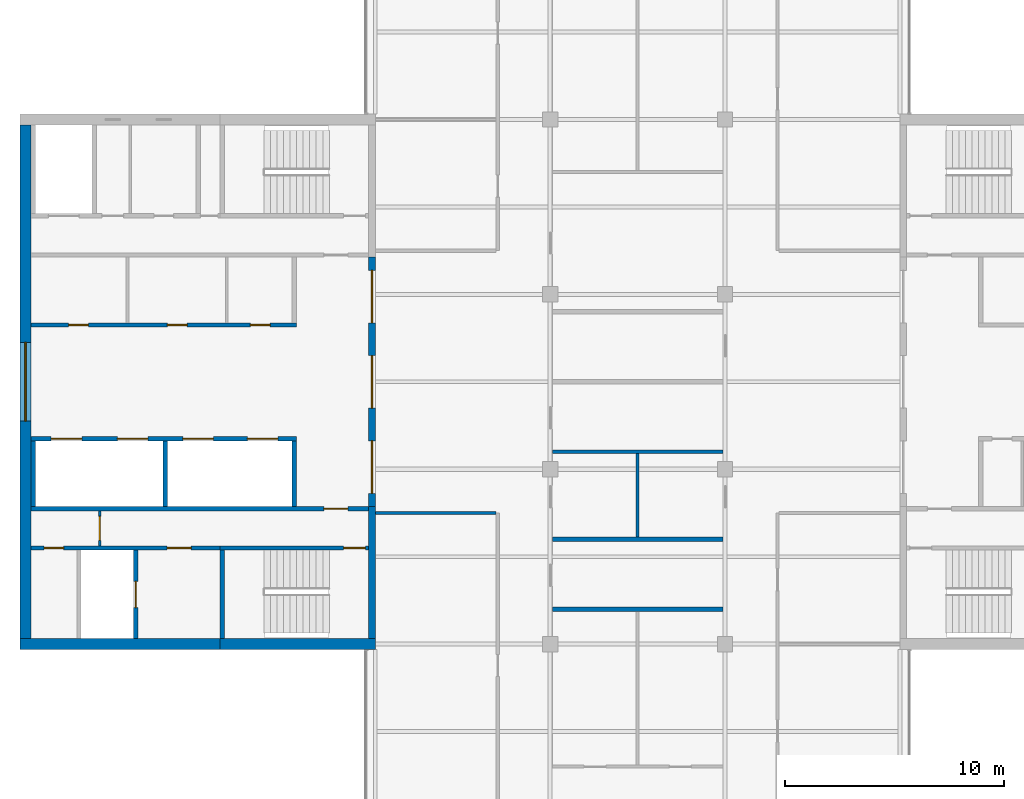
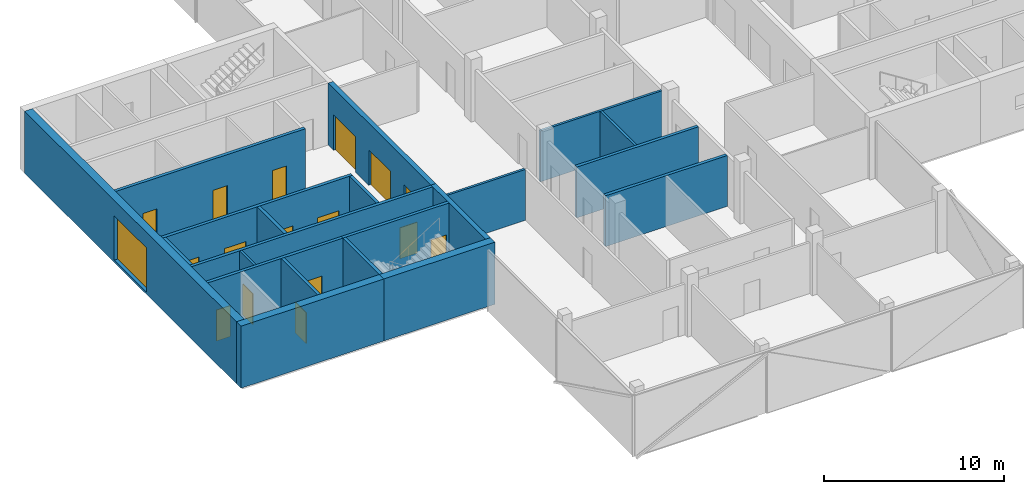
# One storey, part 9 of 16: 21 walls, 16 doors, 1 window, 17 openings.
"""IFC4 building model written with IfcOpenShell, lengths in metres."""

from ifc_helpers import new_model, si_unit, direction, frame, frame_2d, origin, place, context, subcontext, project, spatial, rectangle, extrude, material, layer, layer_set, constituent, constituent_set, type_object, element, fill, save


model = new_model("IFC4")

# Units and contexts
model_context = context("Model", 3, precision=1e-05, world=origin(), true_north=direction((0.0, 1.0)))
body_context = subcontext(model_context, "Body", "Model", "MODEL_VIEW")
ifc_project = project(units=[si_unit("LENGTHUNIT", "METRE"), si_unit("AREAUNIT", "SQUARE_METRE"), si_unit("VOLUMEUNIT", "CUBIC_METRE"), si_unit("PLANEANGLEUNIT", "RADIAN"), si_unit("MASSUNIT", "GRAM", prefix="KILO")], contexts=[model_context])

# Site, building, storey
site_placement = place(None, origin())
site = spatial("IfcSite", under=ifc_project, at=site_placement, CompositionType="ELEMENT")
building_placement = place(site_placement, origin())
building = spatial("IfcBuilding", under=site, at=building_placement, Name="Crosswind Convention Tower", CompositionType="ELEMENT")
storey_placement = place(building_placement, frame((0.0, 0.0, 253.5)))
storey = spatial("IfcBuildingStorey", under=building, at=storey_placement, Name="L54", CompositionType="ELEMENT", Elevation=253.5)

# Walls
ifc_material_1 = material(Name="Concrete blockwork", Category="masonry")
ifc_layer_1 = layer(ifc_material_1, 0.199951171875)
ifc_layer_set_1 = layer_set([ifc_layer_1], Name="COMPARTMENT WALL 200 BLOCKWORK")
wall_type_1 = type_object("IfcWallType", Name="COMPARTMENT WALL 200 BLOCKWORK", PredefinedType="SOLIDWALL", material=ifc_layer_set_1)
for number, where, z_axis, x_axis, name in (
    (1, (121.10009765625, 89.60009765625, 0.0), (0.0, 0.0, 1.0), (1.0, 0.0, 0.0), "Compartment wall WT42"),
    (2, (121.10009765625, 92.800048828125, 0.0), (0.0, 0.0, 1.0), (1.0, 0.0, 0.0), "Compartment wall WT42"),
):
    element("IfcWall", number, at=place(storey_placement, frame(where, z_axis=z_axis, x_axis=x_axis)), inside=storey, type_object=wall_type_1, Name=name, PredefinedType="SOLIDWALL", context=body_context, shape_type="SweptSolid", body=[
        extrude(rectangle(XDim=7.7998046875, YDim=0.199951171875, at=frame_2d((3.89990234375, 0.0))), origin(), (0.0, 0.0, 1.0), 3.44287109375),
    ])

# Wall, openings, doors
ifc_material_2 = material(Name="Concrete C50/60", Category="concrete")
ifc_layer_2 = layer(ifc_material_2, 0.300048828125)
ifc_layer_set_2 = layer_set([ifc_layer_2], Name="Concrete C50/60")
wall_type_2 = type_object("IfcWallType", Name="Concrete inner core wall 300", PredefinedType="SHEAR", material=ifc_layer_set_2)
wall_1_placement = place(storey_placement, frame((112.85009765625, 105.699951171875, 0.0), z_axis=(0.0, 0.0, 1.0), x_axis=(0.0, -1.0, 0.0)))
wall_1 = element("IfcWall", 3, at=wall_1_placement, inside=storey, type_object=wall_type_2, Name="Wall SCR W L54", PredefinedType="SHEAR", context=body_context, shape_type="SweptSolid", body=[
    extrude(rectangle(XDim=11.39990234375, YDim=0.300048828125, at=frame_2d((5.699951171875, 0.0))), origin(), (0.0, 0.0, 1.0), 4.199951171875),
])
opening_1_placement = place(wall_1_placement, frame((0.60009765625, 0.0, 0.0)))
opening_1 = element("IfcOpeningElement", 4, at=opening_1_placement, cuts=wall_1, Name="Opening D100", PredefinedType="OPENING", context=body_context, shape_type="SweptSolid", body=[
    extrude(rectangle(XDim=2.39990234375, YDim=2.39990234375, at=frame_2d((1.199951171875, 1.199951171875))), frame((0.0, 0.159912109375, 0.0), z_axis=(0.0, -1.0, 0.0), x_axis=(1.0, 0.0, 0.0)), (0.0, 0.0, 1.0), 0.320068359375),
])
opening_2_placement = place(wall_1_placement, frame((4.5, 0.0, 0.0)))
opening_2 = element("IfcOpeningElement", 5, at=opening_2_placement, cuts=wall_1, Name="Opening D100", PredefinedType="OPENING", context=body_context, shape_type="SweptSolid", body=[
    extrude(rectangle(XDim=2.39990234375, YDim=2.39990234375, at=frame_2d((1.199951171875, 1.199951171875))), frame((0.0, 0.159912109375, 0.0), z_axis=(0.0, -1.0, 0.0), x_axis=(1.0, 0.0, 0.0)), (0.0, 0.0, 1.0), 0.320068359375),
])
opening_3_placement = place(wall_1_placement, frame((8.39990234375, 0.0, 0.0)))
opening_3 = element("IfcOpeningElement", 6, at=opening_3_placement, cuts=wall_1, Name="Opening D100", PredefinedType="OPENING", context=body_context, shape_type="SweptSolid", body=[
    extrude(rectangle(XDim=2.39990234375, YDim=2.39990234375, at=frame_2d((1.199951171875, 1.199951171875))), frame((0.0, 0.159912109375, 0.0), z_axis=(0.0, -1.0, 0.0), x_axis=(1.0, 0.0, 0.0)), (0.0, 0.0, 1.0), 0.320068359375),
])
ifc_material_3 = material(Name="Steel fire door with glazed vision panels", Category="steel")
door_type_1 = type_object("IfcDoorType", Name="Fire-rated double door 2400x2400", OperationType="DOUBLE_DOOR_SINGLE_SWING", PredefinedType="DOOR", material=ifc_material_3)
door_1_placement = place(opening_1_placement, origin())
door_1 = element("IfcDoor", 7, at=door_1_placement, inside=storey, type_object=door_type_1, Name="Lobby door 1 L54", ObjectType="D100", OperationType="DOUBLE_DOOR_SINGLE_SWING", OverallHeight=2.39990234375, OverallWidth=2.39990234375, PredefinedType="DOOR", context=body_context, shape_type="SweptSolid", body=[
    extrude(rectangle(XDim=2.39990234375, YDim=2.39990234375, at=frame_2d((1.199951171875, 1.199951171875))), frame((0.0, 0.02490234375, 0.0), z_axis=(0.0, -1.0, 0.0), x_axis=(1.0, 0.0, 0.0)), (0.0, 0.0, 1.0), 0.050048828125),
])
fill(opening_1, door_1)
door_2_placement = place(opening_2_placement, origin())
door_2 = element("IfcDoor", 8, at=door_2_placement, inside=storey, type_object=door_type_1, Name="Lobby door 2 L54", ObjectType="D100", OperationType="DOUBLE_DOOR_SINGLE_SWING", OverallHeight=2.39990234375, OverallWidth=2.39990234375, PredefinedType="DOOR", context=body_context, shape_type="SweptSolid", body=[
    extrude(rectangle(XDim=2.39990234375, YDim=2.39990234375, at=frame_2d((1.199951171875, 1.199951171875))), frame((0.0, 0.02490234375, 0.0), z_axis=(0.0, -1.0, 0.0), x_axis=(1.0, 0.0, 0.0)), (0.0, 0.0, 1.0), 0.050048828125),
])
fill(opening_2, door_2)
door_3_placement = place(opening_3_placement, origin())
door_3 = element("IfcDoor", 9, at=door_3_placement, inside=storey, type_object=door_type_1, Name="Lobby door 3 L54", ObjectType="D100", OperationType="DOUBLE_DOOR_SINGLE_SWING", OverallHeight=2.39990234375, OverallWidth=2.39990234375, PredefinedType="DOOR", context=body_context, shape_type="SweptSolid", body=[
    extrude(rectangle(XDim=2.39990234375, YDim=2.39990234375, at=frame_2d((1.199951171875, 1.199951171875))), frame((0.0, 0.02490234375, 0.0), z_axis=(0.0, -1.0, 0.0), x_axis=(1.0, 0.0, 0.0)), (0.0, 0.0, 1.0), 0.050048828125),
])
fill(opening_3, door_3)

# Walls
wall_2_placement = place(storey_placement, frame((112.85009765625, 94.300048828125, 0.0), z_axis=(0.0, 0.0, 1.0), x_axis=(0.0, -1.0, 0.0)))
element("IfcWall", 10, at=wall_2_placement, inside=storey, type_object=wall_type_2, Name="Wall EP W L54", PredefinedType="SHEAR", context=body_context, shape_type="SweptSolid", body=[
    extrude(rectangle(XDim=6.050048828125, YDim=0.300048828125, at=frame_2d((3.02490234375, 0.0))), origin(), (0.0, 0.0, 1.0), 4.199951171875),
])
ifc_layer_3 = layer(ifc_material_2, 0.199951171875)
ifc_layer_set_3 = layer_set([ifc_layer_3], Name="Concrete C50/60")
wall_type_3 = type_object("IfcWallType", Name="Concrete shaft and stair wall 200", PredefinedType="SHEAR", material=ifc_layer_set_3)
for number, where, z_axis, x_axis, name in (
    (11, (109.300048828125, 97.300048828125, 0.0), (0.0, 0.0, 1.0), (0.0, -1.0, 0.0), "Wall RPEND W L54"),
    (12, (103.39990234375, 97.300048828125, 0.0), (0.0, 0.0, 1.0), (0.0, -1.0, 0.0), "Wall RPSEP W L54"),
    (13, (97.35009765625, 97.300048828125, 0.0), (0.0, 0.0, 1.0), (0.0, -1.0, 0.0), "Wall RPEAST W L54"),
):
    element("IfcWall", number, at=place(storey_placement, frame(where, z_axis=z_axis, x_axis=x_axis)), inside=storey, type_object=wall_type_3, Name=name, PredefinedType="SHEAR", context=body_context, shape_type="SweptSolid", body=[
        extrude(rectangle(XDim=3.0, YDim=0.199951171875, at=frame_2d((1.5, 0.0))), origin(), (0.0, 0.0, 1.0), 4.199951171875),
    ])

# Wall, openings, doors
wall_3_placement = place(storey_placement, frame((109.39990234375, 97.39990234375, 0.0), z_axis=(0.0, 0.0, 1.0), x_axis=(-1.0, 0.0, 0.0)))
wall_3 = element("IfcWall", 14, at=wall_3_placement, inside=storey, type_object=wall_type_3, Name="Wall RPFRONT W L54", PredefinedType="SHEAR", context=body_context, shape_type="SweptSolid", body=[
    extrude(rectangle(XDim=12.14990234375, YDim=0.199951171875, at=frame_2d((6.074951171875, 0.0))), origin(), (0.0, 0.0, 1.0), 4.199951171875),
])
opening_4_placement = place(wall_3_placement, frame((0.85009765625, 0.0, 0.0)))
opening_4 = element("IfcOpeningElement", 15, at=opening_4_placement, cuts=wall_3, Name="Opening LD2", PredefinedType="OPENING", context=body_context, shape_type="SweptSolid", body=[
    extrude(rectangle(XDim=1.39990234375, YDim=2.10009765625, at=frame_2d((0.699951171875, 1.050048828125))), frame((0.0, 0.10986328125, 0.0), z_axis=(0.0, -1.0, 0.0), x_axis=(1.0, 0.0, 0.0)), (0.0, 0.0, 1.0), 0.219970703125),
])
opening_5_placement = place(wall_3_placement, frame((3.800048828125, 0.0, 0.0)))
opening_5 = element("IfcOpeningElement", 16, at=opening_5_placement, cuts=wall_3, Name="Opening LD2", PredefinedType="OPENING", context=body_context, shape_type="SweptSolid", body=[
    extrude(rectangle(XDim=1.39990234375, YDim=2.10009765625, at=frame_2d((0.699951171875, 1.050048828125))), frame((0.0, 0.10986328125, 0.0), z_axis=(0.0, -1.0, 0.0), x_axis=(1.0, 0.0, 0.0)), (0.0, 0.0, 1.0), 0.219970703125),
])
opening_6_placement = place(wall_3_placement, frame((6.800048828125, 0.0, 0.0)))
opening_6 = element("IfcOpeningElement", 17, at=opening_6_placement, cuts=wall_3, Name="Opening LD2", PredefinedType="OPENING", context=body_context, shape_type="SweptSolid", body=[
    extrude(rectangle(XDim=1.39990234375, YDim=2.10009765625, at=frame_2d((0.699951171875, 1.050048828125))), frame((0.0, 0.10986328125, 0.0), z_axis=(0.0, -1.0, 0.0), x_axis=(1.0, 0.0, 0.0)), (0.0, 0.0, 1.0), 0.219970703125),
])
opening_7_placement = place(wall_3_placement, frame((9.824951171875, 0.0, 0.0)))
opening_7 = element("IfcOpeningElement", 18, at=opening_7_placement, cuts=wall_3, Name="Opening LD2", PredefinedType="OPENING", context=body_context, shape_type="SweptSolid", body=[
    extrude(rectangle(XDim=1.39990234375, YDim=2.10009765625, at=frame_2d((0.699951171875, 1.050048828125))), frame((0.0, 0.10986328125, 0.0), z_axis=(0.0, -1.0, 0.0), x_axis=(1.0, 0.0, 0.0)), (0.0, 0.0, 1.0), 0.219970703125),
])
ifc_material_4 = material(Name="Stainless steel", Category="steel")
door_type_2 = type_object("IfcDoorType", Name="Lift landing door 1400x2100", OperationType="DOUBLE_DOOR_SLIDING", PredefinedType="DOOR", material=ifc_material_4)
door_4_placement = place(opening_4_placement, origin())
door_4 = element("IfcDoor", 19, at=door_4_placement, inside=storey, type_object=door_type_2, Name="Landing door HR1 L54", ObjectType="LD2", OperationType="DOUBLE_DOOR_SLIDING", OverallHeight=2.10009765625, OverallWidth=1.39990234375, PredefinedType="DOOR", context=body_context, shape_type="SweptSolid", body=[
    extrude(rectangle(XDim=1.39990234375, YDim=2.10009765625, at=frame_2d((0.699951171875, 1.050048828125))), frame((0.0, 0.02490234375, 0.0), z_axis=(0.0, -1.0, 0.0), x_axis=(1.0, 0.0, 0.0)), (0.0, 0.0, 1.0), 0.050048828125),
])
fill(opening_4, door_4)
door_5_placement = place(opening_5_placement, origin())
door_5 = element("IfcDoor", 20, at=door_5_placement, inside=storey, type_object=door_type_2, Name="Landing door HR2 L54", ObjectType="LD2", OperationType="DOUBLE_DOOR_SLIDING", OverallHeight=2.10009765625, OverallWidth=1.39990234375, PredefinedType="DOOR", context=body_context, shape_type="SweptSolid", body=[
    extrude(rectangle(XDim=1.39990234375, YDim=2.10009765625, at=frame_2d((0.699951171875, 1.050048828125))), frame((0.0, 0.02490234375, 0.0), z_axis=(0.0, -1.0, 0.0), x_axis=(1.0, 0.0, 0.0)), (0.0, 0.0, 1.0), 0.050048828125),
])
fill(opening_5, door_5)
door_6_placement = place(opening_6_placement, origin())
door_6 = element("IfcDoor", 21, at=door_6_placement, inside=storey, type_object=door_type_2, Name="Landing door HR3 L54", ObjectType="LD2", OperationType="DOUBLE_DOOR_SLIDING", OverallHeight=2.10009765625, OverallWidth=1.39990234375, PredefinedType="DOOR", context=body_context, shape_type="SweptSolid", body=[
    extrude(rectangle(XDim=1.39990234375, YDim=2.10009765625, at=frame_2d((0.699951171875, 1.050048828125))), frame((0.0, 0.02490234375, 0.0), z_axis=(0.0, -1.0, 0.0), x_axis=(1.0, 0.0, 0.0)), (0.0, 0.0, 1.0), 0.050048828125),
])
fill(opening_6, door_6)
door_7_placement = place(opening_7_placement, origin())
door_7 = element("IfcDoor", 22, at=door_7_placement, inside=storey, type_object=door_type_2, Name="Landing door HR4 L54", ObjectType="LD2", OperationType="DOUBLE_DOOR_SLIDING", OverallHeight=2.10009765625, OverallWidth=1.39990234375, PredefinedType="DOOR", context=body_context, shape_type="SweptSolid", body=[
    extrude(rectangle(XDim=1.39990234375, YDim=2.10009765625, at=frame_2d((0.699951171875, 1.050048828125))), frame((0.0, 0.02490234375, 0.0), z_axis=(0.0, -1.0, 0.0), x_axis=(1.0, 0.0, 0.0)), (0.0, 0.0, 1.0), 0.050048828125),
])
fill(opening_7, door_7)

wall_4_placement = place(storey_placement, frame((109.39990234375, 102.60009765625, 0.0), z_axis=(0.0, 0.0, 1.0), x_axis=(-1.0, 0.0, 0.0)))
wall_4 = element("IfcWall", 23, at=wall_4_placement, inside=storey, type_object=wall_type_3, Name="Wall RMFRONT W L54", PredefinedType="SHEAR", context=body_context, shape_type="SweptSolid", body=[
    extrude(rectangle(XDim=12.14990234375, YDim=0.199951171875, at=frame_2d((6.074951171875, 0.0))), origin(), (0.0, 0.0, 1.0), 4.199951171875),
])
opening_8_placement = place(wall_4_placement, frame((1.21240234375, 0.0, 0.0)))
opening_8 = element("IfcOpeningElement", 24, at=opening_8_placement, cuts=wall_4, Name="Opening D106", PredefinedType="OPENING", context=body_context, shape_type="SweptSolid", body=[
    extrude(rectangle(XDim=0.89990234375, YDim=2.10009765625, at=frame_2d((0.449951171875, 1.050048828125))), frame((0.0, 0.10986328125, 0.0), z_axis=(0.0, -1.0, 0.0), x_axis=(1.0, 0.0, 0.0)), (0.0, 0.0, 1.0), 0.219970703125),
])
opening_9_placement = place(wall_4_placement, frame((5.008056640625, 0.0, 0.0)))
opening_9 = element("IfcOpeningElement", 25, at=opening_9_placement, cuts=wall_4, Name="Opening D106", PredefinedType="OPENING", context=body_context, shape_type="SweptSolid", body=[
    extrude(rectangle(XDim=0.89990234375, YDim=2.10009765625, at=frame_2d((0.449951171875, 1.050048828125))), frame((0.0, 0.10986328125, 0.0), z_axis=(0.0, -1.0, 0.0), x_axis=(1.0, 0.0, 0.0)), (0.0, 0.0, 1.0), 0.219970703125),
])
opening_10_placement = place(wall_4_placement, frame((9.5205078125, 0.0, 0.0)))
opening_10 = element("IfcOpeningElement", 26, at=opening_10_placement, cuts=wall_4, Name="Opening D106", PredefinedType="OPENING", context=body_context, shape_type="SweptSolid", body=[
    extrude(rectangle(XDim=0.89990234375, YDim=2.10009765625, at=frame_2d((0.449951171875, 1.050048828125))), frame((0.0, 0.10986328125, 0.0), z_axis=(0.0, -1.0, 0.0), x_axis=(1.0, 0.0, 0.0)), (0.0, 0.0, 1.0), 0.219970703125),
])
ifc_material_5 = material(Name="Timber door", Category="wood")
door_type_3 = type_object("IfcDoorType", Name="Single leaf door 900x2100", OperationType="NOTDEFINED", PredefinedType="DOOR", material=ifc_material_5)
door_8_placement = place(opening_8_placement, frame((0.89990234375, 0.0, 0.0), z_axis=(0.0, 0.0, 1.0), x_axis=(-1.0, 0.0, 0.0)))
door_8 = element("IfcDoor", 27, at=door_8_placement, inside=storey, type_object=door_type_3, Name="Door to copy and print room L54", ObjectType="D106", OperationType="SINGLE_SWING_LEFT", OverallHeight=2.10009765625, OverallWidth=0.89990234375, PredefinedType="DOOR", context=body_context, shape_type="SweptSolid", body=[
    extrude(rectangle(XDim=0.89990234375, YDim=2.10009765625, at=frame_2d((0.449951171875, 1.050048828125))), frame((0.0, 0.02490234375, 0.0), z_axis=(0.0, -1.0, 0.0), x_axis=(1.0, 0.0, 0.0)), (0.0, 0.0, 1.0), 0.050048828125),
])
fill(opening_8, door_8)
door_9_placement = place(opening_9_placement, frame((0.89990234375, 0.0, 0.0), z_axis=(0.0, 0.0, 1.0), x_axis=(-1.0, 0.0, 0.0)))
door_9 = element("IfcDoor", 28, at=door_9_placement, inside=storey, type_object=door_type_3, Name="Door to meeting room L54", ObjectType="D106", OperationType="SINGLE_SWING_LEFT", OverallHeight=2.10009765625, OverallWidth=0.89990234375, PredefinedType="DOOR", context=body_context, shape_type="SweptSolid", body=[
    extrude(rectangle(XDim=0.89990234375, YDim=2.10009765625, at=frame_2d((0.449951171875, 1.050048828125))), frame((0.0, 0.02490234375, 0.0), z_axis=(0.0, -1.0, 0.0), x_axis=(1.0, 0.0, 0.0)), (0.0, 0.0, 1.0), 0.050048828125),
])
fill(opening_9, door_9)
door_10_placement = place(opening_10_placement, frame((0.89990234375, 0.0, 0.0), z_axis=(0.0, 0.0, 1.0), x_axis=(-1.0, 0.0, 0.0)))
door_10 = element("IfcDoor", 29, at=door_10_placement, inside=storey, type_object=door_type_3, Name="Door to pantry L54", ObjectType="D106", OperationType="SINGLE_SWING_LEFT", OverallHeight=2.10009765625, OverallWidth=0.89990234375, PredefinedType="DOOR", context=body_context, shape_type="SweptSolid", body=[
    extrude(rectangle(XDim=0.89990234375, YDim=2.10009765625, at=frame_2d((0.449951171875, 1.050048828125))), frame((0.0, 0.02490234375, 0.0), z_axis=(0.0, -1.0, 0.0), x_axis=(1.0, 0.0, 0.0)), (0.0, 0.0, 1.0), 0.050048828125),
])
fill(opening_10, door_10)

# Wall, opening, door
wall_5_placement = place(storey_placement, frame((112.699951171875, 94.199951171875, 0.0), z_axis=(0.0, 0.0, 1.0), x_axis=(-1.0, 0.0, 0.0)))
wall_5 = element("IfcWall", 30, at=wall_5_placement, inside=storey, type_object=wall_type_3, Name="Wall HP W L54", PredefinedType="SHEAR", context=body_context, shape_type="SweptSolid", body=[
    extrude(rectangle(XDim=15.449951171875, YDim=0.199951171875, at=frame_2d((7.72509765625, 0.0))), origin(), (0.0, 0.0, 1.0), 4.199951171875),
])
opening_11_placement = place(wall_5_placement, frame((0.949951171875, 0.0, 0.0)))
opening_11 = element("IfcOpeningElement", 31, at=opening_11_placement, cuts=wall_5, Name="Opening D104", PredefinedType="OPENING", context=body_context, shape_type="SweptSolid", body=[
    extrude(rectangle(XDim=1.10009765625, YDim=2.10009765625, at=frame_2d((0.550048828125, 1.050048828125))), frame((0.0, 0.10986328125, 0.0), z_axis=(0.0, -1.0, 0.0), x_axis=(1.0, 0.0, 0.0)), (0.0, 0.0, 1.0), 0.219970703125),
])
ifc_material_6 = material(Name="Steel fire door", Category="steel")
door_type_4 = type_object("IfcDoorType", Name="Fire-rated single door 1100x2100", OperationType="NOTDEFINED", PredefinedType="DOOR", material=ifc_material_6)
door_11_placement = place(opening_11_placement, origin())
door_11 = element("IfcDoor", 32, at=door_11_placement, inside=storey, type_object=door_type_4, Name="Corridor door L54", ObjectType="D104", OperationType="SINGLE_SWING_LEFT", OverallHeight=2.10009765625, OverallWidth=1.10009765625, PredefinedType="DOOR", context=body_context, shape_type="SweptSolid", body=[
    extrude(rectangle(XDim=1.10009765625, YDim=2.10009765625, at=frame_2d((0.550048828125, 1.050048828125))), frame((0.0, 0.02490234375, 0.0), z_axis=(0.0, -1.0, 0.0), x_axis=(1.0, 0.0, 0.0)), (0.0, 0.0, 1.0), 0.050048828125),
])
fill(opening_11, door_11)

# Wall
wall_6_placement = place(storey_placement, frame((106.0, 92.300048828125, 0.0), z_axis=(0.0, 0.0, 1.0), x_axis=(0.0, -1.0, 0.0)))
element("IfcWall", 33, at=wall_6_placement, inside=storey, type_object=wall_type_3, Name="Wall PSE W L54", PredefinedType="SHEAR", context=body_context, shape_type="SweptSolid", body=[
    extrude(rectangle(XDim=4.050048828125, YDim=0.199951171875, at=frame_2d((2.02490234375, 0.0))), origin(), (0.0, 0.0, 1.0), 4.199951171875),
])

# Wall, opening, door
wall_7_placement = place(storey_placement, frame((102.050048828125, 92.300048828125, 0.0), z_axis=(0.0, 0.0, 1.0), x_axis=(0.0, -1.0, 0.0)))
wall_7 = element("IfcWall", 34, at=wall_7_placement, inside=storey, type_object=wall_type_3, Name="Wall PFLW W L54", PredefinedType="SHEAR", context=body_context, shape_type="SweptSolid", body=[
    extrude(rectangle(XDim=4.050048828125, YDim=0.199951171875, at=frame_2d((2.02490234375, 0.0))), origin(), (0.0, 0.0, 1.0), 4.199951171875),
])
opening_12_placement = place(wall_7_placement, frame((1.425048828125, 0.0, 0.0)))
opening_12 = element("IfcOpeningElement", 35, at=opening_12_placement, cuts=wall_7, Name="Opening LD1", PredefinedType="OPENING", context=body_context, shape_type="SweptSolid", body=[
    extrude(rectangle(XDim=1.199951171875, YDim=2.10009765625, at=frame_2d((0.60009765625, 1.050048828125))), frame((0.0, 0.10986328125, 0.0), z_axis=(0.0, -1.0, 0.0), x_axis=(1.0, 0.0, 0.0)), (0.0, 0.0, 1.0), 0.219970703125),
])
door_type_5 = type_object("IfcDoorType", Name="Lift landing door 1200x2100", OperationType="DOUBLE_DOOR_SLIDING", PredefinedType="DOOR", material=ifc_material_4)
door_12_placement = place(opening_12_placement, origin())
door_12 = element("IfcDoor", 36, at=door_12_placement, inside=storey, type_object=door_type_5, Name="Landing door FF2 L54", ObjectType="LD1", OperationType="DOUBLE_DOOR_SLIDING", OverallHeight=2.10009765625, OverallWidth=1.199951171875, PredefinedType="DOOR", context=body_context, shape_type="SweptSolid", body=[
    extrude(rectangle(XDim=1.199951171875, YDim=2.10009765625, at=frame_2d((0.60009765625, 1.050048828125))), frame((0.0, 0.02490234375, 0.0), z_axis=(0.0, -1.0, 0.0), x_axis=(1.0, 0.0, 0.0)), (0.0, 0.0, 1.0), 0.050048828125),
])
fill(opening_12, door_12)

wall_8_placement = place(storey_placement, frame((112.699951171875, 92.39990234375, 0.0), z_axis=(0.0, 0.0, 1.0), x_axis=(-1.0, 0.0, 0.0)))
wall_8 = element("IfcWall", 37, at=wall_8_placement, inside=storey, type_object=wall_type_3, Name="Wall PCW W L54", PredefinedType="SHEAR", context=body_context, shape_type="SweptSolid", body=[
    extrude(rectangle(XDim=6.800048828125, YDim=0.199951171875, at=frame_2d((3.39990234375, 0.0))), origin(), (0.0, 0.0, 1.0), 4.199951171875),
])
opening_13_placement = place(wall_8_placement, frame((0.14990234375, 0.0, 0.0)))
opening_13 = element("IfcOpeningElement", 38, at=opening_13_placement, cuts=wall_8, Name="Opening D103", PredefinedType="OPENING", context=body_context, shape_type="SweptSolid", body=[
    extrude(rectangle(XDim=1.0, YDim=2.10009765625, at=frame_2d((0.5, 1.050048828125))), frame((0.0, 0.10986328125, 0.0), z_axis=(0.0, -1.0, 0.0), x_axis=(1.0, 0.0, 0.0)), (0.0, 0.0, 1.0), 0.219970703125),
])
door_type_6 = type_object("IfcDoorType", Name="Fire-rated single door 1000x2100", OperationType="NOTDEFINED", PredefinedType="DOOR", material=ifc_material_6)
door_13_placement = place(opening_13_placement, origin())
door_13 = element("IfcDoor", 39, at=door_13_placement, inside=storey, type_object=door_type_6, Name="Stair ST3 door L54", ObjectType="D103", OperationType="SINGLE_SWING_LEFT", OverallHeight=2.10009765625, OverallWidth=1.0, PredefinedType="DOOR", context=body_context, shape_type="SweptSolid", body=[
    extrude(rectangle(XDim=1.0, YDim=2.10009765625, at=frame_2d((0.5, 1.050048828125))), frame((0.0, 0.02490234375, 0.0), z_axis=(0.0, -1.0, 0.0), x_axis=(1.0, 0.0, 0.0)), (0.0, 0.0, 1.0), 0.050048828125),
])
fill(opening_13, door_13)

# Wall, openings, doors
wall_9_placement = place(storey_placement, frame((105.89990234375, 92.39990234375, 0.0), z_axis=(0.0, 0.0, 1.0), x_axis=(-1.0, 0.0, 0.0)))
wall_9 = element("IfcWall", 40, at=wall_9_placement, inside=storey, type_object=wall_type_3, Name="Wall PCX W L54", PredefinedType="SHEAR", context=body_context, shape_type="SweptSolid", body=[
    extrude(rectangle(XDim=8.64990234375, YDim=0.199951171875, at=frame_2d((4.324951171875, 0.0))), origin(), (0.0, 0.0, 1.0), 4.199951171875),
])
opening_14_placement = place(wall_9_placement, frame((1.324951171875, 0.0, 0.0)))
opening_14 = element("IfcOpeningElement", 41, at=opening_14_placement, cuts=wall_9, Name="Opening D104", PredefinedType="OPENING", context=body_context, shape_type="SweptSolid", body=[
    extrude(rectangle(XDim=1.10009765625, YDim=2.10009765625, at=frame_2d((0.550048828125, 1.050048828125))), frame((0.0, 0.10986328125, 0.0), z_axis=(0.0, -1.0, 0.0), x_axis=(1.0, 0.0, 0.0)), (0.0, 0.0, 1.0), 0.219970703125),
])
opening_15_placement = place(wall_9_placement, frame((7.14990234375, 0.0, 0.0)))
opening_15 = element("IfcOpeningElement", 42, at=opening_15_placement, cuts=wall_9, Name="Opening D106", PredefinedType="OPENING", context=body_context, shape_type="SweptSolid", body=[
    extrude(rectangle(XDim=0.89990234375, YDim=2.10009765625, at=frame_2d((0.449951171875, 1.050048828125))), frame((0.0, 0.10986328125, 0.0), z_axis=(0.0, -1.0, 0.0), x_axis=(1.0, 0.0, 0.0)), (0.0, 0.0, 1.0), 0.219970703125),
])
door_14_placement = place(opening_14_placement, origin())
door_14 = element("IfcDoor", 43, at=door_14_placement, inside=storey, type_object=door_type_4, Name="Fire-fighting lobby FF2 door L54", ObjectType="D104", OperationType="SINGLE_SWING_RIGHT", OverallHeight=2.10009765625, OverallWidth=1.10009765625, PredefinedType="DOOR", context=body_context, shape_type="SweptSolid", body=[
    extrude(rectangle(XDim=1.10009765625, YDim=2.10009765625, at=frame_2d((0.550048828125, 1.050048828125))), frame((0.0, 0.02490234375, 0.0), z_axis=(0.0, -1.0, 0.0), x_axis=(1.0, 0.0, 0.0)), (0.0, 0.0, 1.0), 0.050048828125),
])
fill(opening_14, door_14)
door_15_placement = place(opening_15_placement, origin())
door_15 = element("IfcDoor", 44, at=door_15_placement, inside=storey, type_object=door_type_3, Name="Door to telecoms room L54", ObjectType="D106", OperationType="SINGLE_SWING_RIGHT", OverallHeight=2.10009765625, OverallWidth=0.89990234375, PredefinedType="DOOR", context=body_context, shape_type="SweptSolid", body=[
    extrude(rectangle(XDim=0.89990234375, YDim=2.10009765625, at=frame_2d((0.449951171875, 1.050048828125))), frame((0.0, 0.02490234375, 0.0), z_axis=(0.0, -1.0, 0.0), x_axis=(1.0, 0.0, 0.0)), (0.0, 0.0, 1.0), 0.050048828125),
])
fill(opening_15, door_15)

# Wall, opening, door
ifc_material_7 = material(Name="Gypsum plasterboard partition", Category="gypsum")
ifc_layer_4 = layer(ifc_material_7, 0.125)
ifc_layer_set_4 = layer_set([ifc_layer_4], Name="Drywall partition wall 125")
wall_type_4 = type_object("IfcWallType", Name="Drywall partition wall 125", PredefinedType="PARTITIONING", material=ifc_layer_set_4)
wall_10_placement = place(storey_placement, frame((100.39990234375, 94.10009765625, 0.0), z_axis=(0.0, 0.0, 1.0), x_axis=(0.0, -1.0, 0.0)))
wall_10 = element("IfcWall", 45, at=wall_10_placement, inside=storey, type_object=wall_type_4, Name="Wall PXC1 W L54", PredefinedType="PARTITIONING", context=body_context, shape_type="SweptSolid", body=[
    extrude(rectangle(XDim=1.60009765625, YDim=0.125, at=frame_2d((0.800048828125, 0.0))), origin(), (0.0, 0.0, 1.0), 4.199951171875),
])
opening_16_placement = place(wall_10_placement, frame((0.25, 0.0, 0.0)))
opening_16 = element("IfcOpeningElement", 46, at=opening_16_placement, cuts=wall_10, Name="Opening D104", PredefinedType="OPENING", context=body_context, shape_type="SweptSolid", body=[
    extrude(rectangle(XDim=1.10009765625, YDim=2.10009765625, at=frame_2d((0.550048828125, 1.050048828125))), frame((0.0, 0.072509765625, 0.0), z_axis=(0.0, -1.0, 0.0), x_axis=(1.0, 0.0, 0.0)), (0.0, 0.0, 1.0), 0.14501953125),
])
door_16_placement = place(opening_16_placement, origin())
door_16 = element("IfcDoor", 47, at=door_16_placement, inside=storey, type_object=door_type_4, Name="Corridor smoke door L54", ObjectType="D104", OperationType="SINGLE_SWING_RIGHT", OverallHeight=2.10009765625, OverallWidth=1.10009765625, PredefinedType="DOOR", context=body_context, shape_type="SweptSolid", body=[
    extrude(rectangle(XDim=1.10009765625, YDim=2.10009765625, at=frame_2d((0.550048828125, 1.050048828125))), frame((0.0, 0.02490234375, 0.0), z_axis=(0.0, -1.0, 0.0), x_axis=(1.0, 0.0, 0.0)), (0.0, 0.0, 1.0), 0.050048828125),
])
fill(opening_16, door_16)

# Walls
ifc_material_8 = material(Name="Fire-board partition with mineral wool", Category="gypsum")
ifc_layer_5 = layer(ifc_material_8, 0.14990234375)
ifc_layer_set_5 = layer_set([ifc_layer_5], Name="TENANCY WALL 150 TWO-HOUR BOARD")
wall_type_5 = type_object("IfcWallType", Name="TENANCY WALL 150 TWO-HOUR BOARD", PredefinedType="PARTITIONING", material=ifc_layer_set_5)
wall_11_placement = place(storey_placement, frame((125.0, 92.89990234375, 0.0), z_axis=(0.0, 0.0, 1.0), x_axis=(0.0, 1.0, 0.0)))
element("IfcWall", 48, at=wall_11_placement, inside=storey, type_object=wall_type_5, Name="Tenancy wall WT41", PredefinedType="PARTITIONING", context=body_context, shape_type="SweptSolid", body=[
    extrude(rectangle(XDim=3.8251953125, YDim=0.14990234375, at=frame_2d((1.91259765625, 0.0))), origin(), (0.0, 0.0, 1.0), 3.44287109375),
])
wall_12_placement = place(storey_placement, frame((113.0, 94.0, 0.0), z_axis=(0.0, 0.0, 1.0), x_axis=(1.0, 0.0, 0.0)))
element("IfcWall", 49, at=wall_12_placement, inside=storey, type_object=wall_type_5, Name="Tenancy wall WT41", PredefinedType="PARTITIONING", context=body_context, shape_type="SweptSolid", body=[
    extrude(rectangle(XDim=5.52490234375, YDim=0.14990234375, at=frame_2d((2.762451171875, 0.0))), origin(), (0.0, 0.0, 1.0), 3.44287109375),
])
wall_13_placement = place(storey_placement, frame((121.10009765625, 96.800048828125, 0.0), z_axis=(0.0, 0.0, 1.0), x_axis=(1.0, 0.0, 0.0)))
element("IfcWall", 50, at=wall_13_placement, inside=storey, type_object=wall_type_5, Name="Tenancy wall WT41", PredefinedType="PARTITIONING", context=body_context, shape_type="SweptSolid", body=[
    extrude(rectangle(XDim=7.7998046875, YDim=0.14990234375, at=frame_2d((3.89990234375, 0.0))), origin(), (0.0, 0.0, 1.0), 3.44287109375),
])
ifc_material_9 = material(Name="Concrete C60/75", Category="concrete")
ifc_constituent_1 = constituent(ifc_material_9, Name="Structure")
ifc_material_10 = material(Name="Terracotta rainscreen", Category="ceramic")
ifc_constituent_2 = constituent(ifc_material_10, Name="Facing")
ifc_constituent_set = constituent_set(constituents=[ifc_constituent_1, ifc_constituent_2], Name="Concrete C60/75, Terracotta rainscreen")
wall_type_6 = type_object("IfcWallType", Name="Terracotta rainscreen on concrete core wall 500", PredefinedType="SHEAR", material=ifc_constituent_set)
wall_14_placement = place(storey_placement, frame((113.0, 88.0, 0.0), z_axis=(0.0, 0.0, 1.0), x_axis=(-1.0, 0.0, 0.0)))
element("IfcWall", 51, at=wall_14_placement, inside=storey, type_object=wall_type_6, Name="Wall N1 W L54", PredefinedType="SHEAR", context=body_context, shape_type="SweptSolid", body=[
    extrude(rectangle(XDim=7.10009765625, YDim=0.5, at=frame_2d((3.550048828125, 0.0))), origin(), (0.0, 0.0, 1.0), 4.199951171875),
])
wall_15_placement = place(storey_placement, frame((105.89990234375, 88.0, 0.0), z_axis=(0.0, 0.0, 1.0), x_axis=(-1.0, 0.0, 0.0)))
element("IfcWall", 52, at=wall_15_placement, inside=storey, type_object=wall_type_6, Name="Wall N2 W L54", PredefinedType="SHEAR", context=body_context, shape_type="SweptSolid", body=[
    extrude(rectangle(XDim=9.14990234375, YDim=0.5, at=frame_2d((4.574951171875, 0.0))), origin(), (0.0, 0.0, 1.0), 4.199951171875),
])

# Wall, opening, window
wall_16_placement = place(storey_placement, frame((97.0, 111.75, 0.0), z_axis=(0.0, 0.0, 1.0), x_axis=(0.0, -1.0, 0.0)))
wall_16 = element("IfcWall", 53, at=wall_16_placement, inside=storey, type_object=wall_type_6, Name="Wall O W L54", PredefinedType="SHEAR", context=body_context, shape_type="SweptSolid", body=[
    extrude(rectangle(XDim=23.5, YDim=0.5, at=frame_2d((11.75, 0.0))), origin(), (0.0, 0.0, 1.0), 4.199951171875),
])
opening_17_placement = place(wall_16_placement, frame((9.949951171875, 0.0, 0.14990234375)))
opening_17 = element("IfcOpeningElement", 54, at=opening_17_placement, cuts=wall_16, Name="Opening W1", PredefinedType="OPENING", context=body_context, shape_type="SweptSolid", body=[
    extrude(rectangle(XDim=3.60009765625, YDim=3.0, at=frame_2d((1.800048828125, 1.5))), frame((0.0, 0.260009765625, 0.0), z_axis=(0.0, -1.0, 0.0), x_axis=(1.0, 0.0, 0.0)), (0.0, 0.0, 1.0), 0.52001953125),
])
ifc_material_11 = material(Name="Clear laminated glass in aluminium frame", Category="aluminium")
window_type = type_object("IfcWindowType", Name="Lobby end window 3600x3000", PartitioningType="SINGLE_PANEL", PredefinedType="WINDOW", material=ifc_material_11)
window_placement = place(opening_17_placement, origin())
window = element("IfcWindow", 55, at=window_placement, inside=storey, type_object=window_type, Name="Lobby end window L54", ObjectType="W1", OverallHeight=3.0, OverallWidth=3.60009765625, PartitioningType="SINGLE_PANEL", PredefinedType="WINDOW", context=body_context, shape_type="SweptSolid", body=[
    extrude(rectangle(XDim=3.60009765625, YDim=3.0, at=frame_2d((1.800048828125, 1.5))), frame((0.0, 0.030029296875, 0.0), z_axis=(0.0, -1.0, 0.0), x_axis=(1.0, 0.0, 0.0)), (0.0, 0.0, 1.0), 0.06005859375),
])
fill(opening_17, window)

save(model, "model.ifc")
